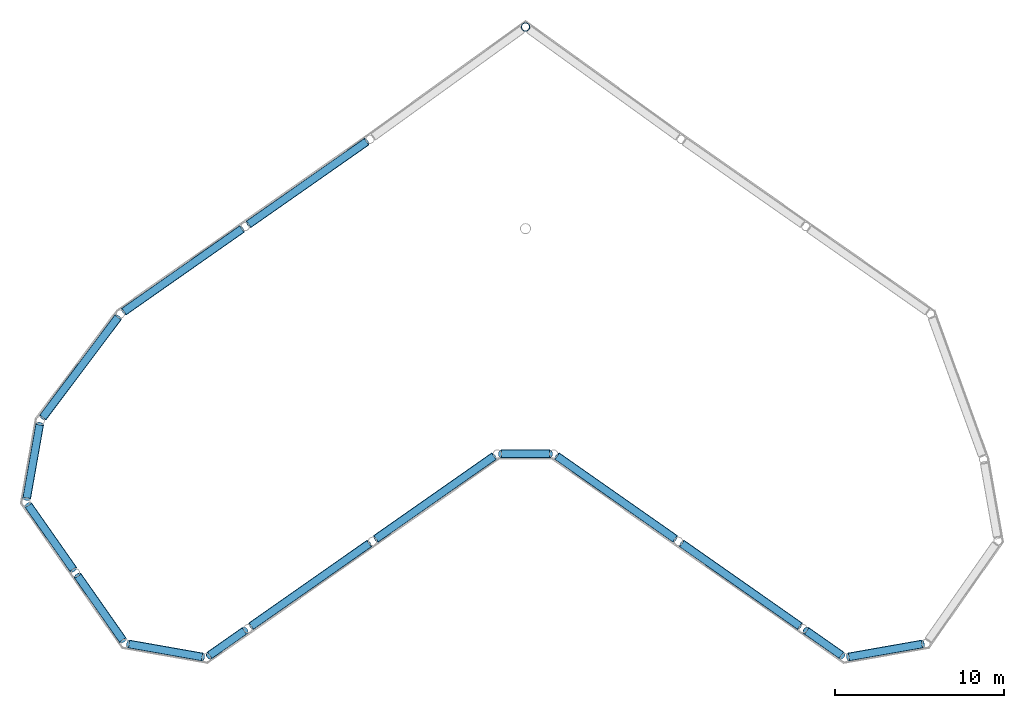
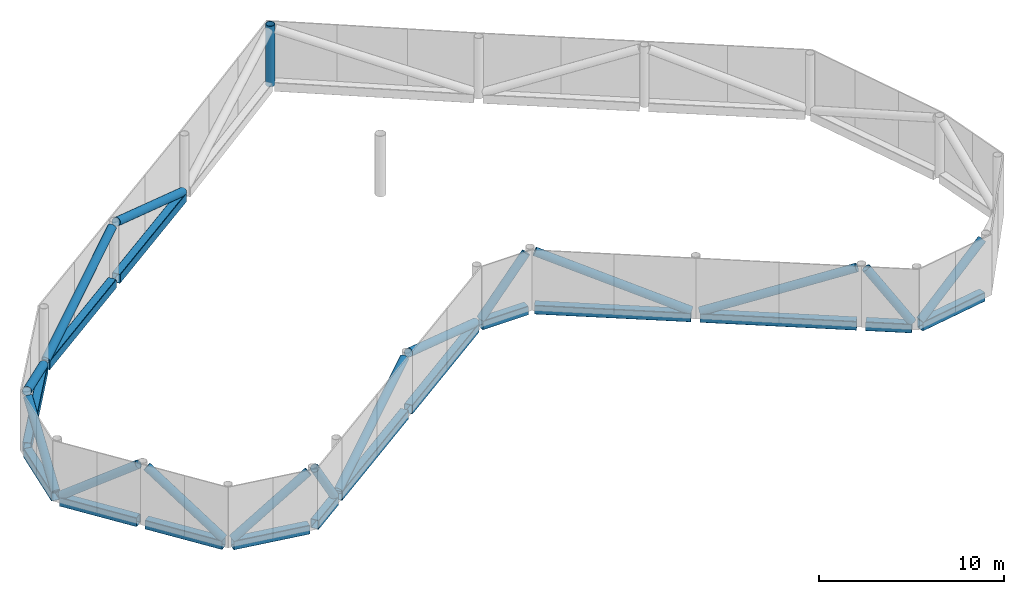
# One storey, part 2 of 4: 15 beams, 15 members, 1 column.
"""IFC4 building model written with IfcOpenShell, lengths in metres."""

from ifc_helpers import new_model, si_unit, direction, frame, origin, origin_2d, place, context, subcontext, project, spatial, hollow_rectangle, hollow_circle, extrude, material, material_profile, profile_set, type_object, element, save


model = new_model("IFC4")

# Units and contexts
model_context = context("Model", 3, precision=1e-05, world=origin(), true_north=direction((0.0, 1.0)))
body_context = subcontext(model_context, "Body", "Model", "MODEL_VIEW")
ifc_project = project(units=[si_unit("LENGTHUNIT", "METRE"), si_unit("AREAUNIT", "SQUARE_METRE"), si_unit("VOLUMEUNIT", "CUBIC_METRE"), si_unit("PLANEANGLEUNIT", "RADIAN"), si_unit("MASSUNIT", "GRAM", prefix="KILO")], contexts=[model_context])

# Site, building, storey
site_placement = place(None, origin())
site = spatial("IfcSite", under=ifc_project, at=site_placement, CompositionType="ELEMENT")
building_placement = place(site_placement, origin())
building = spatial("IfcBuilding", under=site, at=building_placement, Name="Tel Ilan Convention Tower", CompositionType="ELEMENT")
storey_placement = place(building_placement, frame((0.0, 0.0, 334.800048828125)))
storey = spatial("IfcBuildingStorey", under=building, at=storey_placement, Name="L79", CompositionType="ELEMENT", Elevation=334.800048828125)

# Column
ifc_material_1 = material(Name="Steel S355", Category="steel")
ifc_material_profile_1 = material_profile(ifc_material_1, hollow_circle(Radius=0.25390625, WallThickness=0.02490234375, at=origin_2d()), Name="CHS 508x25")
ifc_profile_set_1 = profile_set([ifc_material_profile_1], Name="Steel S355")
column_type = type_object("IfcColumnType", Name="CROWN FRAME COLUMN CHS 508x25", PredefinedType="COLUMN", material=ifc_profile_set_1)
column_placement = place(storey_placement, frame((0.0, 11.91796875, 0.0), z_axis=(0.0, 0.0, 1.0), x_axis=(1.0, 0.0, 0.0)))
element("IfcColumn", 1, at=column_placement, inside=storey, type_object=column_type, Name="CROWN FRAME column", PredefinedType="COLUMN", context=body_context, shape_type="SweptSolid", body=[
    extrude(hollow_circle(Radius=0.25390625, WallThickness=0.02490234375, at=origin_2d()), origin(), (0.0, 0.0, 1.0), 4.0),
])

# Members
ifc_material_2 = material(Name="Steel S355", Category="steel")
ifc_material_profile_2 = material_profile(ifc_material_2, hollow_circle(Radius=0.25390625, WallThickness=0.01611328125, at=origin_2d()), Name="CHS 508x16")
ifc_profile_set_2 = profile_set([ifc_material_profile_2], Name="Steel S355")
member_type = type_object("IfcMemberType", Name="CROWN FRAME BRACE CHS 508x16", PredefinedType="BRACE", material=ifc_profile_set_2)
member_1_placement = place(storey_placement, frame((-18.658935546875, -25.212158203125, 3.699951171875), z_axis=(0.484197231699, 0.339111817177, -0.806570651751), x_axis=(-0.573659598331, 0.819093807352, 0.0)))
element("IfcMember", 2, at=member_1_placement, inside=storey, type_object=member_type, Name="CROWN FRAME brace", PredefinedType="BRACE", context=body_context, shape_type="SweptSolid", body=[
    extrude(hollow_circle(Radius=0.25390625, WallThickness=0.01611328125, at=origin_2d()), origin(), (0.0, 0.0, 1.0), 4.21533203125),
])
member_2_placement = place(storey_placement, frame((-16.201904296875, -23.4912109375, 0.300048828125), z_axis=(0.760457085565, 0.532488114036, 0.371700725618), x_axis=(-0.573583902989, 0.819146816042, 0.0)))
element("IfcMember", 3, at=member_2_placement, inside=storey, type_object=member_type, Name="CROWN FRAME brace", PredefinedType="BRACE", context=body_context, shape_type="SweptSolid", body=[
    extrude(hollow_circle(Radius=0.25390625, WallThickness=0.01611328125, at=origin_2d()), origin(), (0.0, 0.0, 1.0), 9.14697265625),
])
member_3_placement = place(storey_placement, frame((-8.829833984375, -18.329345703125, 3.699951171875), z_axis=(0.760502103222, 0.532444883638, -0.37167054885), x_axis=(-0.57352987213, 0.819184646935, 0.0)))
element("IfcMember", 4, at=member_3_placement, inside=storey, type_object=member_type, Name="CROWN FRAME brace", PredefinedType="BRACE", context=body_context, shape_type="SweptSolid", body=[
    extrude(hollow_circle(Radius=0.25390625, WallThickness=0.01611328125, at=origin_2d()), origin(), (0.0, 0.0, 1.0), 9.147705078125),
])
member_4_placement = place(storey_placement, frame((-1.410888671875, -13.31298828125, 0.300048828125), z_axis=(0.6386504471, 0.0, 0.769496982723), x_axis=(0.0, 1.0, 0.0)))
element("IfcMember", 5, at=member_4_placement, inside=storey, type_object=member_type, Name="CROWN FRAME brace", PredefinedType="BRACE", context=body_context, shape_type="SweptSolid", body=[
    extrude(hollow_circle(Radius=0.25390625, WallThickness=0.01611328125, at=origin_2d()), origin(), (0.0, 0.0, 1.0), 4.41845703125),
])
member_5_placement = place(storey_placement, frame((1.873046875, -13.458740234375, 3.699951171875), z_axis=(0.760502103222, -0.532444883638, -0.37167054885), x_axis=(0.57352987213, 0.819184646935, 0.0)))
element("IfcMember", 6, at=member_5_placement, inside=storey, type_object=member_type, Name="CROWN FRAME brace", PredefinedType="BRACE", context=body_context, shape_type="SweptSolid", body=[
    extrude(hollow_circle(Radius=0.25390625, WallThickness=0.01611328125, at=origin_2d()), origin(), (0.0, 0.0, 1.0), 9.147705078125),
])
member_6_placement = place(storey_placement, frame((9.24609375, -18.62060546875, 0.300048828125), z_axis=(0.760457085565, -0.532488114036, 0.371700725618), x_axis=(0.573583902989, 0.819146816042, 0.0)))
element("IfcMember", 7, at=member_6_placement, inside=storey, type_object=member_type, Name="CROWN FRAME brace", PredefinedType="BRACE", context=body_context, shape_type="SweptSolid", body=[
    extrude(hollow_circle(Radius=0.25390625, WallThickness=0.01611328125, at=origin_2d()), origin(), (0.0, 0.0, 1.0), 9.14697265625),
])
member_7_placement = place(storey_placement, frame((16.617919921875, -23.78271484375, 3.699951171875), z_axis=(0.484197231699, -0.339111817177, -0.806570651751), x_axis=(0.573659598331, 0.819093807352, 0.0)))
element("IfcMember", 8, at=member_7_placement, inside=storey, type_object=member_type, Name="CROWN FRAME brace", PredefinedType="BRACE", context=body_context, shape_type="SweptSolid", body=[
    extrude(hollow_circle(Radius=0.25390625, WallThickness=0.01611328125, at=origin_2d()), origin(), (0.0, 0.0, 1.0), 4.21533203125),
])
member_8_placement = place(storey_placement, frame((19.1171875, -25.31396484375, 0.300048828125), z_axis=(0.777350873367, 0.137023962932, 0.613962582946), x_axis=(-0.173594152601, 0.984817277561, 0.0)))
element("IfcMember", 9, at=member_8_placement, inside=storey, type_object=member_type, Name="CROWN FRAME brace", PredefinedType="BRACE", context=body_context, shape_type="SweptSolid", body=[
    extrude(hollow_circle(Radius=0.25390625, WallThickness=0.01611328125, at=origin_2d()), origin(), (0.0, 0.0, 1.0), 5.53759765625),
])
member_9_placement = place(storey_placement, frame((-9.401123046875, 5.13720703125, 0.300048828125), z_axis=(-0.760457085565, -0.532488114036, 0.371700725618), x_axis=(0.573583902989, -0.819146816042, 0.0)))
element("IfcMember", 10, at=member_9_placement, inside=storey, type_object=member_type, Name="CROWN FRAME brace", PredefinedType="BRACE", context=body_context, shape_type="SweptSolid", body=[
    extrude(hollow_circle(Radius=0.25390625, WallThickness=0.01611328125, at=origin_2d()), origin(), (0.0, 0.0, 1.0), 9.14697265625),
])
member_10_placement = place(storey_placement, frame((-16.77294921875, -0.024658203125, 3.699951171875), z_axis=(-0.760425108847, -0.532553791307, -0.371672050604), x_axis=(0.573647554936, -0.819102241918, 0.0)))
element("IfcMember", 11, at=member_10_placement, inside=storey, type_object=member_type, Name="CROWN FRAME brace", PredefinedType="BRACE", context=body_context, shape_type="SweptSolid", body=[
    extrude(hollow_circle(Radius=0.25390625, WallThickness=0.01611328125, at=origin_2d()), origin(), (0.0, 0.0, 1.0), 9.147705078125),
])
member_11_placement = place(storey_placement, frame((-24.089599609375, -5.2451171875, 0.300048828125), z_axis=(-0.54556047467, -0.726192330526, 0.418340133818), x_axis=(0.799515545431, -0.600645396731, 0.0)))
element("IfcMember", 12, at=member_11_placement, inside=storey, type_object=member_type, Name="CROWN FRAME brace", PredefinedType="BRACE", context=body_context, shape_type="SweptSolid", body=[
    extrude(hollow_circle(Radius=0.25390625, WallThickness=0.01611328125, at=origin_2d()), origin(), (0.0, 0.0, 1.0), 8.127197265625),
])
member_12_placement = place(storey_placement, frame((-28.72021484375, -11.60009765625, 3.699951171875), z_axis=(-0.137023962932, -0.777350873367, -0.613962582946), x_axis=(0.984817277561, -0.173594152601, 0.0)))
element("IfcMember", 13, at=member_12_placement, inside=storey, type_object=member_type, Name="CROWN FRAME brace", PredefinedType="BRACE", context=body_context, shape_type="SweptSolid", body=[
    extrude(hollow_circle(Radius=0.25390625, WallThickness=0.01611328125, at=origin_2d()), origin(), (0.0, 0.0, 1.0), 5.53759765625),
])
member_13_placement = place(storey_placement, frame((-29.37744140625, -16.363037109375, 0.300048828125), z_axis=(0.460944959569, -0.658389032443, 0.59502405515), x_axis=(0.819189459192, 0.573522998622, 0.0)))
element("IfcMember", 14, at=member_13_placement, inside=storey, type_object=member_type, Name="CROWN FRAME brace", PredefinedType="BRACE", context=body_context, shape_type="SweptSolid", body=[
    extrude(hollow_circle(Radius=0.25390625, WallThickness=0.01611328125, at=origin_2d()), origin(), (0.0, 0.0, 1.0), 5.7138671875),
])
member_14_placement = place(storey_placement, frame((-26.452392578125, -20.541015625, 3.699951171875), z_axis=(0.461079540574, -0.658337160924, -0.594977175873), x_axis=(0.819089549842, 0.573665677324, 0.0)))
element("IfcMember", 15, at=member_14_placement, inside=storey, type_object=member_type, Name="CROWN FRAME brace", PredefinedType="BRACE", context=body_context, shape_type="SweptSolid", body=[
    extrude(hollow_circle(Radius=0.25390625, WallThickness=0.01611328125, at=origin_2d()), origin(), (0.0, 0.0, 1.0), 5.71435546875),
])
member_15_placement = place(storey_placement, frame((-23.421875, -24.55517578125, 0.300048828125), z_axis=(0.777350873367, -0.137023962932, 0.613962582946), x_axis=(0.173594152601, 0.984817277561, 0.0)))
element("IfcMember", 16, at=member_15_placement, inside=storey, type_object=member_type, Name="CROWN FRAME brace", PredefinedType="BRACE", context=body_context, shape_type="SweptSolid", body=[
    extrude(hollow_circle(Radius=0.25390625, WallThickness=0.01611328125, at=origin_2d()), origin(), (0.0, 0.0, 1.0), 5.53759765625),
])

# Beams
ifc_material_3 = material(Name="Steel S355", Category="steel")
ifc_material_profile_3 = material_profile(ifc_material_3, hollow_rectangle(XDim=0.5, YDim=0.60009765625, WallThickness=0.02490234375, InnerFilletRadius=0.02490234375, OuterFilletRadius=0.050048828125, at=origin_2d()), Name="RHS 600x500x25")
ifc_profile_set_3 = profile_set([ifc_material_profile_3], Name="Steel S355")
beam_type = type_object("IfcBeamType", Name="CROWN FRAME RING BEAM RHS 600x500x25", PredefinedType="BEAM", material=ifc_profile_set_3)
beam_1_placement = place(storey_placement, frame((-18.658935546875, -25.212158203125, 0.0), z_axis=(0.819093807352, 0.573659598331, 0.0), x_axis=(-0.573659598331, 0.819093807352, 0.0)))
element("IfcBeam", 17, at=beam_1_placement, inside=storey, type_object=beam_type, Name="CROWN FRAME ring beam", PredefinedType="BEAM", context=body_context, shape_type="SweptSolid", body=[
    extrude(hollow_rectangle(XDim=0.5, YDim=0.60009765625, WallThickness=0.02490234375, InnerFilletRadius=0.02490234375, OuterFilletRadius=0.050048828125, at=origin_2d()), origin(), (0.0, 0.0, 1.0), 2.49169921875),
])
beam_2_placement = place(storey_placement, frame((-16.201904296875, -23.4912109375, 0.0), z_axis=(0.819146816042, 0.573583902989, 0.0), x_axis=(-0.573583902989, 0.819146816042, 0.0)))
element("IfcBeam", 18, at=beam_2_placement, inside=storey, type_object=beam_type, Name="CROWN FRAME ring beam", PredefinedType="BEAM", context=body_context, shape_type="SweptSolid", body=[
    extrude(hollow_rectangle(XDim=0.5, YDim=0.60009765625, WallThickness=0.02490234375, InnerFilletRadius=0.02490234375, OuterFilletRadius=0.050048828125, at=origin_2d()), origin(), (0.0, 0.0, 1.0), 8.491455078125),
])
beam_3_placement = place(storey_placement, frame((-8.829833984375, -18.329345703125, 0.0), z_axis=(0.819184646935, 0.57352987213, 0.0), x_axis=(-0.57352987213, 0.819184646935, 0.0)))
element("IfcBeam", 19, at=beam_3_placement, inside=storey, type_object=beam_type, Name="CROWN FRAME ring beam", PredefinedType="BEAM", context=body_context, shape_type="SweptSolid", body=[
    extrude(hollow_rectangle(XDim=0.5, YDim=0.60009765625, WallThickness=0.02490234375, InnerFilletRadius=0.02490234375, OuterFilletRadius=0.050048828125, at=origin_2d()), origin(), (0.0, 0.0, 1.0), 8.492431640625),
])
beam_4_placement = place(storey_placement, frame((-1.410888671875, -13.31298828125, 0.0), z_axis=(1.0, 0.0, 0.0), x_axis=(0.0, 1.0, 0.0)))
element("IfcBeam", 20, at=beam_4_placement, inside=storey, type_object=beam_type, Name="CROWN FRAME ring beam", PredefinedType="BEAM", context=body_context, shape_type="SweptSolid", body=[
    extrude(hollow_rectangle(XDim=0.5, YDim=0.60009765625, WallThickness=0.02490234375, InnerFilletRadius=0.02490234375, OuterFilletRadius=0.050048828125, at=origin_2d()), origin(), (0.0, 0.0, 1.0), 2.82177734375),
])
beam_5_placement = place(storey_placement, frame((1.873046875, -13.458740234375, 0.0), z_axis=(0.819184646935, -0.57352987213, 0.0), x_axis=(0.57352987213, 0.819184646935, 0.0)))
element("IfcBeam", 21, at=beam_5_placement, inside=storey, type_object=beam_type, Name="CROWN FRAME ring beam", PredefinedType="BEAM", context=body_context, shape_type="SweptSolid", body=[
    extrude(hollow_rectangle(XDim=0.5, YDim=0.60009765625, WallThickness=0.02490234375, InnerFilletRadius=0.02490234375, OuterFilletRadius=0.050048828125, at=origin_2d()), origin(), (0.0, 0.0, 1.0), 8.492431640625),
])
beam_6_placement = place(storey_placement, frame((9.24609375, -18.62060546875, 0.0), z_axis=(0.819146816042, -0.573583902989, 0.0), x_axis=(0.573583902989, 0.819146816042, 0.0)))
element("IfcBeam", 22, at=beam_6_placement, inside=storey, type_object=beam_type, Name="CROWN FRAME ring beam", PredefinedType="BEAM", context=body_context, shape_type="SweptSolid", body=[
    extrude(hollow_rectangle(XDim=0.5, YDim=0.60009765625, WallThickness=0.02490234375, InnerFilletRadius=0.02490234375, OuterFilletRadius=0.050048828125, at=origin_2d()), origin(), (0.0, 0.0, 1.0), 8.491455078125),
])
beam_7_placement = place(storey_placement, frame((16.617919921875, -23.78271484375, 0.0), z_axis=(0.819093807352, -0.573659598331, 0.0), x_axis=(0.573659598331, 0.819093807352, 0.0)))
element("IfcBeam", 23, at=beam_7_placement, inside=storey, type_object=beam_type, Name="CROWN FRAME ring beam", PredefinedType="BEAM", context=body_context, shape_type="SweptSolid", body=[
    extrude(hollow_rectangle(XDim=0.5, YDim=0.60009765625, WallThickness=0.02490234375, InnerFilletRadius=0.02490234375, OuterFilletRadius=0.050048828125, at=origin_2d()), origin(), (0.0, 0.0, 1.0), 2.49169921875),
])
beam_8_placement = place(storey_placement, frame((19.1171875, -25.31396484375, 0.0), z_axis=(0.984817277561, 0.173594152601, 0.0), x_axis=(-0.173594152601, 0.984817277561, 0.0)))
element("IfcBeam", 24, at=beam_8_placement, inside=storey, type_object=beam_type, Name="CROWN FRAME ring beam", PredefinedType="BEAM", context=body_context, shape_type="SweptSolid", body=[
    extrude(hollow_rectangle(XDim=0.5, YDim=0.60009765625, WallThickness=0.02490234375, InnerFilletRadius=0.02490234375, OuterFilletRadius=0.050048828125, at=origin_2d()), origin(), (0.0, 0.0, 1.0), 4.37109375),
])
beam_9_placement = place(storey_placement, frame((-9.401123046875, 5.13720703125, 0.0), z_axis=(-0.819146816042, -0.573583902989, 0.0), x_axis=(0.573583902989, -0.819146816042, 0.0)))
element("IfcBeam", 25, at=beam_9_placement, inside=storey, type_object=beam_type, Name="CROWN FRAME ring beam", PredefinedType="BEAM", context=body_context, shape_type="SweptSolid", body=[
    extrude(hollow_rectangle(XDim=0.5, YDim=0.60009765625, WallThickness=0.02490234375, InnerFilletRadius=0.02490234375, OuterFilletRadius=0.050048828125, at=origin_2d()), origin(), (0.0, 0.0, 1.0), 8.491455078125),
])
beam_10_placement = place(storey_placement, frame((-16.77294921875, -0.024658203125, 0.0), z_axis=(-0.819102241918, -0.573647554936, 0.0), x_axis=(0.573647554936, -0.819102241918, 0.0)))
element("IfcBeam", 26, at=beam_10_placement, inside=storey, type_object=beam_type, Name="CROWN FRAME ring beam", PredefinedType="BEAM", context=body_context, shape_type="SweptSolid", body=[
    extrude(hollow_rectangle(XDim=0.5, YDim=0.60009765625, WallThickness=0.02490234375, InnerFilletRadius=0.02490234375, OuterFilletRadius=0.050048828125, at=origin_2d()), origin(), (0.0, 0.0, 1.0), 8.4921875),
])
beam_11_placement = place(storey_placement, frame((-24.089599609375, -5.2451171875, 0.0), z_axis=(-0.600645396731, -0.799515545431, 0.0), x_axis=(0.799515545431, -0.600645396731, 0.0)))
element("IfcBeam", 27, at=beam_11_placement, inside=storey, type_object=beam_type, Name="CROWN FRAME ring beam", PredefinedType="BEAM", context=body_context, shape_type="SweptSolid", body=[
    extrude(hollow_rectangle(XDim=0.5, YDim=0.60009765625, WallThickness=0.02490234375, InnerFilletRadius=0.02490234375, OuterFilletRadius=0.050048828125, at=origin_2d()), origin(), (0.0, 0.0, 1.0), 7.3818359375),
])
beam_12_placement = place(storey_placement, frame((-28.72021484375, -11.60009765625, 0.0), z_axis=(-0.173594152601, -0.984817277561, 0.0), x_axis=(0.984817277561, -0.173594152601, 0.0)))
element("IfcBeam", 28, at=beam_12_placement, inside=storey, type_object=beam_type, Name="CROWN FRAME ring beam", PredefinedType="BEAM", context=body_context, shape_type="SweptSolid", body=[
    extrude(hollow_rectangle(XDim=0.5, YDim=0.60009765625, WallThickness=0.02490234375, InnerFilletRadius=0.02490234375, OuterFilletRadius=0.050048828125, at=origin_2d()), origin(), (0.0, 0.0, 1.0), 4.37109375),
])
beam_13_placement = place(storey_placement, frame((-29.37744140625, -16.363037109375, 0.0), z_axis=(0.573522998622, -0.819189459192, 0.0), x_axis=(0.819189459192, 0.573522998622, 0.0)))
element("IfcBeam", 29, at=beam_13_placement, inside=storey, type_object=beam_type, Name="CROWN FRAME ring beam", PredefinedType="BEAM", context=body_context, shape_type="SweptSolid", body=[
    extrude(hollow_rectangle(XDim=0.5, YDim=0.60009765625, WallThickness=0.02490234375, InnerFilletRadius=0.02490234375, OuterFilletRadius=0.050048828125, at=origin_2d()), origin(), (0.0, 0.0, 1.0), 4.59228515625),
])
beam_14_placement = place(storey_placement, frame((-26.452392578125, -20.541015625, 0.0), z_axis=(0.573665677324, -0.819089549842, 0.0), x_axis=(0.819089549842, 0.573665677324, 0.0)))
element("IfcBeam", 30, at=beam_14_placement, inside=storey, type_object=beam_type, Name="CROWN FRAME ring beam", PredefinedType="BEAM", context=body_context, shape_type="SweptSolid", body=[
    extrude(hollow_rectangle(XDim=0.5, YDim=0.60009765625, WallThickness=0.02490234375, InnerFilletRadius=0.02490234375, OuterFilletRadius=0.050048828125, at=origin_2d()), origin(), (0.0, 0.0, 1.0), 4.5927734375),
])
beam_15_placement = place(storey_placement, frame((-23.421875, -24.55517578125, 0.0), z_axis=(0.984817277561, -0.173594152601, 0.0), x_axis=(0.173594152601, 0.984817277561, 0.0)))
element("IfcBeam", 31, at=beam_15_placement, inside=storey, type_object=beam_type, Name="CROWN FRAME ring beam", PredefinedType="BEAM", context=body_context, shape_type="SweptSolid", body=[
    extrude(hollow_rectangle(XDim=0.5, YDim=0.60009765625, WallThickness=0.02490234375, InnerFilletRadius=0.02490234375, OuterFilletRadius=0.050048828125, at=origin_2d()), origin(), (0.0, 0.0, 1.0), 4.37109375),
])

save(model, "model.ifc")
